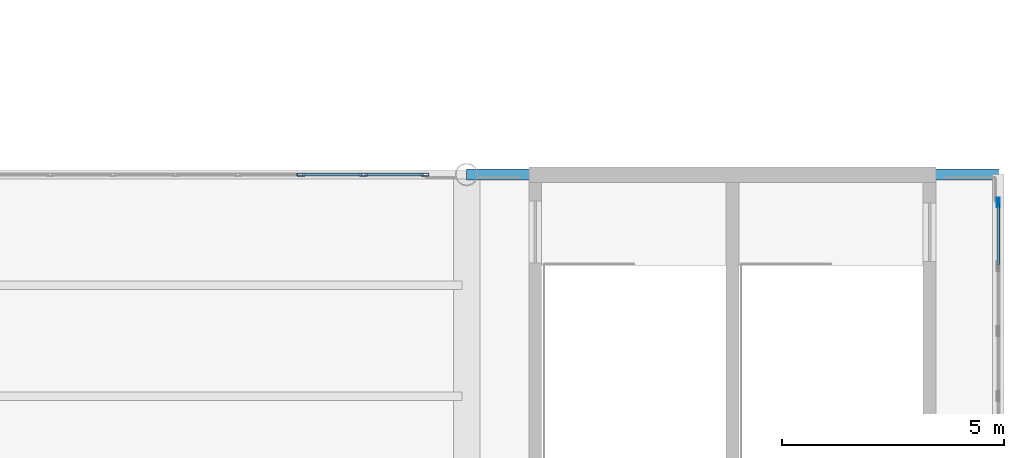
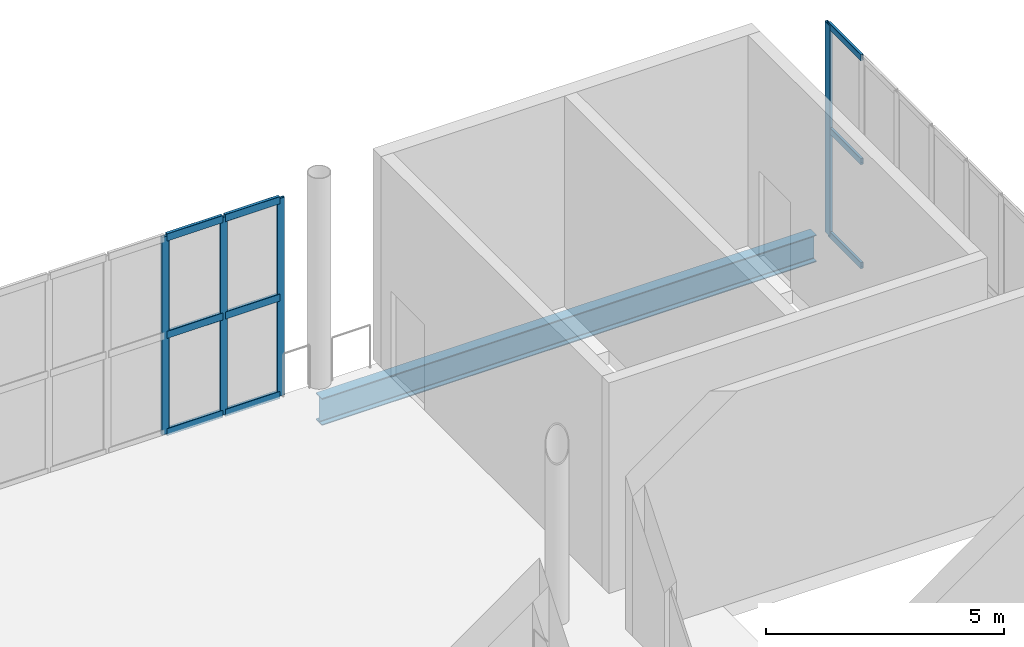
# One storey, part 42 of 74: 13 members, 1 beam, 2 elements without a shape of their own.
"""IFC4 building model written with IfcOpenShell, lengths in metres."""

import ifcopenshell
import ifcopenshell.guid

model = None  # the IFC model being written
_history = None  # IfcOwnerHistory: only IFC2X3 demands one
_inside = {}  # id of a spatial element -> (the spatial element, [elements in it])
_under = {}  # id of a project, library or spatial element -> (it, [spatial elements below it])
_declared = {}  # id of a project -> (the project, [libraries it declares])
_typed = {}  # id of a type object -> (the type object, [elements of that type])
_made_of = {}  # id of a material, layer set ... -> (it, [elements and type objects made of it])


def new_model(schema):
    """Start an empty IFC model of exactly this schema.

    Asked for "IFC4X3", IfcOpenShell would pick the latest addendum, in which some entities
    have other attributes; the version numbers below select the first issue.
    IFC2X3 requires an IfcOwnerHistory on every rooted entity: one is made here for all.
    """
    global model, _history
    if schema == "IFC4X3":
        model = ifcopenshell.file(schema_version=(4, 3, 0, 0))
    else:
        model = ifcopenshell.file(schema=schema)
    _inside.clear()
    _under.clear()
    _declared.clear()
    _typed.clear()
    _made_of.clear()
    _history = None
    if model.schema == "IFC2X3":
        org = make("IfcOrganization", Name="unknown")
        user = make(
            "IfcPersonAndOrganization",
            ThePerson=make("IfcPerson", FamilyName="unknown"),
            TheOrganization=org,
        )
        app = make(
            "IfcApplication",
            ApplicationDeveloper=org,
            Version="unknown",
            ApplicationFullName="unknown",
            ApplicationIdentifier="unknown",
        )
        _history = make(
            "IfcOwnerHistory",
            OwningUser=user,
            OwningApplication=app,
            ChangeAction="ADDED",
            CreationDate=0,
        )
    return model


def make(cls, **values):
    """One entity of the class cls with the attributes given. An attribute that is None is left unset."""
    return model.create_entity(
        cls, **{name: value for name, value in values.items() if value is not None}
    )


def rooted(cls, **values):
    """An entity with a GlobalId (a new one), such as an element, a storey or a relation."""
    return make(cls, GlobalId=ifcopenshell.guid.new(), OwnerHistory=_history, **values)


def si_unit(unit_type, name, prefix=None):
    """IfcSIUnit, for example si_unit("LENGTHUNIT", "METRE", prefix="MILLI")."""
    return make("IfcSIUnit", UnitType=unit_type, Prefix=prefix, Name=name)


def assignment(units):
    """IfcUnitAssignment: the units of a project."""
    return None if units is None else make("IfcUnitAssignment", Units=units)


def point(xyz):
    """IfcCartesianPoint."""
    return None if xyz is None else make("IfcCartesianPoint", Coordinates=xyz)


def direction(xyz):
    """IfcDirection."""
    return None if xyz is None else make("IfcDirection", DirectionRatios=xyz)


def frame(location, z_axis=None, x_axis=None):
    """IfcAxis2Placement3D, a coordinate frame: its origin and axes. An axis left out is left unset."""
    return make(
        "IfcAxis2Placement3D",
        Location=point(location),
        Axis=direction(z_axis),
        RefDirection=direction(x_axis),
    )


def frame_2d(location, x_axis=None):
    """IfcAxis2Placement2D, a coordinate frame in the plane: its origin and x axis."""
    return make(
        "IfcAxis2Placement2D", Location=point(location), RefDirection=direction(x_axis)
    )


def origin():
    """The frame at (0, 0, 0) with its axes left unset."""
    return frame((0.0, 0.0, 0.0))


def origin_2d():
    """The frame at (0, 0) in the plane with its x axis left unset."""
    return frame_2d((0.0, 0.0))


def place(relative_to, where):
    """IfcLocalPlacement: puts the frame where relative to a parent placement (None: the world)."""
    return make(
        "IfcLocalPlacement", PlacementRelTo=relative_to, RelativePlacement=where
    )


def context(
    kind, dimensions, precision=None, world=None, true_north=None, identifier=None
):
    """IfcGeometricRepresentationContext, for example the 3D "Model" context."""
    return make(
        "IfcGeometricRepresentationContext",
        ContextIdentifier=identifier,
        ContextType=kind,
        CoordinateSpaceDimension=dimensions,
        Precision=precision,
        WorldCoordinateSystem=world,
        TrueNorth=true_north,
    )


def subcontext(parent, identifier, kind, view, scale=None):
    """IfcGeometricRepresentationSubContext, for example "Body" below "Model"."""
    return make(
        "IfcGeometricRepresentationSubContext",
        ContextIdentifier=identifier,
        ContextType=kind,
        ParentContext=parent,
        TargetScale=scale,
        TargetView=view,
    )


def project(units=None, contexts=None):
    """IfcProject with its units and contexts."""
    return rooted(
        "IfcProject",
        Name="project",
        RepresentationContexts=contexts,
        UnitsInContext=assignment(units),
    )


def spatial(cls, under=None, at=None, **own):
    """A site, building, storey or space (cls), placed at a placement, below another one or the project."""
    s = rooted(cls, ObjectPlacement=at, **own)
    if under is not None:
        _under.setdefault(under.id(), (under, []))[1].append(s)
    return s


def profile(cls, at=None, kind="AREA", **sizes):
    """A parametric profile (cls). Its sizes go by their IFC names, for example OverallWidth=200.0."""
    return make(cls, ProfileType=kind, Position=at, **sizes)


def hollow_rectangle(**sizes):
    """IfcRectangleHollowProfileDef."""
    return profile("IfcRectangleHollowProfileDef", **sizes)


def i_section(**sizes):
    """IfcIShapeProfileDef."""
    return profile("IfcIShapeProfileDef", **sizes)


def extrude(swept, where, along, depth):
    """IfcExtrudedAreaSolid: the profile swept, set in the frame where, extruded along a direction by depth."""
    return make(
        "IfcExtrudedAreaSolid",
        SweptArea=swept,
        Position=where,
        ExtrudedDirection=direction(along),
        Depth=depth,
    )


def shape(context_of_items, identifier, shape_type, items):
    """IfcShapeRepresentation: the items that make up one representation, for example the "Body"."""
    return make(
        "IfcShapeRepresentation",
        ContextOfItems=context_of_items,
        RepresentationIdentifier=identifier,
        RepresentationType=shape_type,
        Items=items,
    )


def material(Name=None, Category=None):
    """IfcMaterial."""
    return make("IfcMaterial", Name=Name, Category=Category)


def layer(
    of_material, thickness, ventilated=None, Name=None, Category=None, Priority=None
):
    """IfcMaterialLayer: one layer of a wall or slab, of a material (None: an air gap)."""
    return make(
        "IfcMaterialLayer",
        Material=of_material,
        LayerThickness=thickness,
        IsVentilated=ventilated,
        Name=Name,
        Category=Category,
        Priority=Priority,
    )


def layer_set(layers, Name=None):
    """IfcMaterialLayerSet."""
    return make("IfcMaterialLayerSet", MaterialLayers=layers, LayerSetName=Name)


def material_profile(
    of_material, cross_section, Name=None, Category=None, Priority=None
):
    """IfcMaterialProfile: a cross section and its material."""
    return make(
        "IfcMaterialProfile",
        Name=Name,
        Material=of_material,
        Profile=cross_section,
        Priority=Priority,
        Category=Category,
    )


def profile_set(profiles, Name=None, composite=None):
    """IfcMaterialProfileSet."""
    return make(
        "IfcMaterialProfileSet",
        Name=Name,
        MaterialProfiles=profiles,
        CompositeProfile=composite,
    )


def made_of(thing, what):
    """Note that an element or type object is made of a material, layer set ...; save() writes the relation."""
    if what is not None:
        _made_of.setdefault(what.id(), (what, []))[1].append(thing)
    return thing


def type_object(cls, material=None, **own):
    """A type object (cls), such as IfcWallType, which elements share."""
    return made_of(rooted(cls, **own), material)


def element(
    cls,
    number,
    at=None,
    inside=None,
    cuts=None,
    type_object=None,
    material=None,
    context=None,
    identifier="Body",
    shape_type=None,
    held_by="IfcProductDefinitionShape",
    body=None,
    shapes=None,
    **own,
):
    """One element of the class cls, such as IfcWall. Its Tag is "e" and its number.

    at: its placement. inside: the storey or other place that contains it. cuts: it is an
    opening in that element (IfcRelVoidsElement). A single representation is given by context,
    identifier, shape_type and body (its items); several are given by shapes. held_by: the class
    of the entity that holds the representations. save() writes the other relations.
    """
    e = rooted(cls, Tag="e%d" % number, ObjectPlacement=at, **own)
    if body is not None:
        shapes = [shape(context, identifier, shape_type, body)]
    if shapes is not None:
        e.Representation = make(held_by, Representations=shapes)
    if inside is not None:
        _inside.setdefault(inside.id(), (inside, []))[1].append(e)
    if cuts is not None:
        rooted(
            "IfcRelVoidsElement", RelatingBuildingElement=cuts, RelatedOpeningElement=e
        )
    if type_object is not None:
        _typed.setdefault(type_object.id(), (type_object, []))[1].append(e)
    return made_of(e, material)


def aggregate(whole, parts):
    """IfcRelAggregates: a whole, such as a stair, and the parts it consists of."""
    return rooted("IfcRelAggregates", RelatingObject=whole, RelatedObjects=parts)


def save(model, path):
    """Write the relations noted so far, then the file.

    IfcRelAggregates (storeys below a building ...), IfcRelContainedInSpatialStructure (elements
    in a storey), IfcRelDefinesByType, IfcRelAssociatesMaterial and IfcRelDeclares: one each for
    every whole, place, type object, material and project.
    """
    for whole, parts in _under.values():
        aggregate(whole, parts)
    for where, things in _inside.values():
        rooted(
            "IfcRelContainedInSpatialStructure",
            RelatedElements=things,
            RelatingStructure=where,
        )
    for kind, things in _typed.values():
        rooted("IfcRelDefinesByType", RelatedObjects=things, RelatingType=kind)
    for what, things in _made_of.values():
        rooted("IfcRelAssociatesMaterial", RelatedObjects=things, RelatingMaterial=what)
    for by, libraries in _declared.values():
        rooted("IfcRelDeclares", RelatingContext=by, RelatedDefinitions=libraries)
    model.write(path)


model = new_model("IFC4")

# Units and contexts
model_context = context("Model", 3, precision=1e-05, world=origin(), true_north=direction((0.0, 1.0)))
body_context = subcontext(model_context, "Body", "Model", "MODEL_VIEW")
ifc_project = project(units=[si_unit("LENGTHUNIT", "METRE"), si_unit("AREAUNIT", "SQUARE_METRE"), si_unit("VOLUMEUNIT", "CUBIC_METRE"), si_unit("PLANEANGLEUNIT", "RADIAN"), si_unit("MASSUNIT", "GRAM", prefix="KILO")], contexts=[model_context])

# Site, building, storey
site_placement = place(None, origin())
site = spatial("IfcSite", under=ifc_project, at=site_placement, CompositionType="ELEMENT")
building_placement = place(site_placement, origin())
building = spatial("IfcBuilding", under=site, at=building_placement, Name="Brinegate Civic Arena", CompositionType="ELEMENT")
storey_placement = place(building_placement, frame((0.0, 0.0, 19.199951171875)))
storey = spatial("IfcBuildingStorey", under=building, at=storey_placement, Name="L04", CompositionType="ELEMENT", Elevation=19.199951171875)

# Curtain wall, members
ifc_material_1 = material(Name="Marine grade aluminium", Category="aluminium")
ifc_layer = layer(ifc_material_1, 0.199951171875, Name="Marine grade aluminium")
ifc_layer_set = layer_set([ifc_layer], Name="Marine grade aluminium")
curtain_wall_type = type_object("IfcCurtainWallType", Name="CW-BOWL-GLAZED-01", PredefinedType="USERDEFINED", material=ifc_layer_set)
curtain_wall_1_placement = place(storey_placement, origin())
curtain_wall_1 = element("IfcCurtainWall", 1, at=curtain_wall_1_placement, inside=storey, type_object=curtain_wall_type, Name="Curtain Wall CWA-152", ObjectType="GLAZED CURTAIN WALL", PredefinedType="USERDEFINED")
ifc_material_profile_1 = material_profile(ifc_material_1, hollow_rectangle(XDim=0.06494140625, YDim=0.179931640625, WallThickness=0.0048828125, InnerFilletRadius=0.00390625, OuterFilletRadius=0.008056640625, at=origin_2d()), Name="MUL65X180")
ifc_profile_set_1 = profile_set([ifc_material_profile_1], Name="Marine grade aluminium")
member_type_1 = type_object("IfcMemberType", Name="CW-MULLION-65X180", PredefinedType="MULLION", material=ifc_profile_set_1)
member_1_placement = place(storey_placement, frame((152.260986328125, 114.0, 0.0), z_axis=(0.0, 0.0, 1.0), x_axis=(0.0, 1.0, 0.0)))
member_1 = element("IfcMember", 2, at=member_1_placement, type_object=member_type_1, Name="CWA-152 mullion 6", PredefinedType="MULLION", context=body_context, shape_type="SweptSolid", body=[
    extrude(hollow_rectangle(XDim=0.06494140625, YDim=0.179931640625, WallThickness=0.0048828125, InnerFilletRadius=0.00390625, OuterFilletRadius=0.008056640625, at=origin_2d()), origin(), (0.0, 0.0, 1.0), 5.070068359375),
])
member_2_placement = place(storey_placement, frame((153.676025390625, 114.0, 0.0), z_axis=(0.0, 0.0, 1.0), x_axis=(0.0, 1.0, 0.0)))
member_2 = element("IfcMember", 3, at=member_2_placement, type_object=member_type_1, Name="CWA-152 mullion 7", PredefinedType="MULLION", context=body_context, shape_type="SweptSolid", body=[
    extrude(hollow_rectangle(XDim=0.06494140625, YDim=0.179931640625, WallThickness=0.0048828125, InnerFilletRadius=0.00390625, OuterFilletRadius=0.008056640625, at=origin_2d()), origin(), (0.0, 0.0, 1.0), 5.070068359375),
])
member_3_placement = place(storey_placement, frame((155.05859375, 114.0, 0.0), z_axis=(0.0, 0.0, 1.0), x_axis=(0.0, 1.0, 0.0)))
member_3 = element("IfcMember", 4, at=member_3_placement, type_object=member_type_1, Name="CWA-152 mullion 8", PredefinedType="MULLION", context=body_context, shape_type="SweptSolid", body=[
    extrude(hollow_rectangle(XDim=0.06494140625, YDim=0.179931640625, WallThickness=0.0048828125, InnerFilletRadius=0.00390625, OuterFilletRadius=0.008056640625, at=origin_2d()), origin(), (0.0, 0.0, 1.0), 5.070068359375),
])

curtain_wall_2_placement = place(storey_placement, origin())
curtain_wall_2 = element("IfcCurtainWall", 5, at=curtain_wall_2_placement, inside=storey, type_object=curtain_wall_type, Name="Curtain Wall CWA-143", ObjectType="GLAZED CURTAIN WALL", PredefinedType="USERDEFINED")
ifc_material_profile_2 = material_profile(ifc_material_1, hollow_rectangle(XDim=0.06494140625, YDim=0.219970703125, WallThickness=0.006103515625, InnerFilletRadius=0.00390625, OuterFilletRadius=0.008056640625, at=origin_2d()), Name="MUL65X220")
ifc_profile_set_2 = profile_set([ifc_material_profile_2], Name="Marine grade aluminium")
member_type_2 = type_object("IfcMemberType", Name="CW-MULLION-65X220", PredefinedType="MULLION", material=ifc_profile_set_2)
member_4_placement = place(storey_placement, frame((168.0, 113.367431640625, 0.0), z_axis=(0.0, 0.0, 1.0), x_axis=(-1.0, 0.0, 0.0)))
member_4 = element("IfcMember", 6, at=member_4_placement, type_object=member_type_2, Name="CWA-143 mullion 7", PredefinedType="MULLION", context=body_context, shape_type="SweptSolid", body=[
    extrude(hollow_rectangle(XDim=0.06494140625, YDim=0.219970703125, WallThickness=0.006103515625, InnerFilletRadius=0.00390625, OuterFilletRadius=0.008056640625, at=origin_2d()), origin(), (0.0, 0.0, 1.0), 5.400146484375),
])
ifc_material_profile_3 = material_profile(ifc_material_1, hollow_rectangle(XDim=0.06494140625, YDim=0.1650390625, WallThickness=0.0048828125, InnerFilletRadius=0.00390625, OuterFilletRadius=0.008056640625, at=origin_2d()), Name="TRN65X165")
ifc_profile_set_3 = profile_set([ifc_material_profile_3], Name="Marine grade aluminium")
member_type_3 = type_object("IfcMemberType", Name="CW-TRANSOM-65X165", PredefinedType="USERDEFINED", material=ifc_profile_set_3)
member_5_placement = place(storey_placement, frame((168.0, 111.9658203125, 0.032470703125), z_axis=(0.0, 1.0, 0.0), x_axis=(-1.0, 0.0, 0.0)))
member_5 = element("IfcMember", 7, at=member_5_placement, type_object=member_type_3, Name="CWA-143 transom 6.1", ObjectType="TRANSOM", PredefinedType="USERDEFINED", context=body_context, shape_type="SweptSolid", body=[
    extrude(hollow_rectangle(XDim=0.06494140625, YDim=0.1650390625, WallThickness=0.0048828125, InnerFilletRadius=0.00390625, OuterFilletRadius=0.008056640625, at=origin_2d()), origin(), (0.0, 0.0, 1.0), 1.369140625),
])
member_6_placement = place(storey_placement, frame((168.0, 111.9658203125, 2.699951171875), z_axis=(0.0, 1.0, 0.0), x_axis=(-1.0, 0.0, 0.0)))
member_6 = element("IfcMember", 8, at=member_6_placement, type_object=member_type_3, Name="CWA-143 transom 6.2", ObjectType="TRANSOM", PredefinedType="USERDEFINED", context=body_context, shape_type="SweptSolid", body=[
    extrude(hollow_rectangle(XDim=0.06494140625, YDim=0.1650390625, WallThickness=0.0048828125, InnerFilletRadius=0.00390625, OuterFilletRadius=0.008056640625, at=origin_2d()), origin(), (0.0, 0.0, 1.0), 1.369140625),
])
member_7_placement = place(storey_placement, frame((168.0, 111.9658203125, 5.367431640625), z_axis=(0.0, 1.0, 0.0), x_axis=(-1.0, 0.0, 0.0)))
member_7 = element("IfcMember", 9, at=member_7_placement, type_object=member_type_3, Name="CWA-143 transom 6.3", ObjectType="TRANSOM", PredefinedType="USERDEFINED", context=body_context, shape_type="SweptSolid", body=[
    extrude(hollow_rectangle(XDim=0.06494140625, YDim=0.1650390625, WallThickness=0.0048828125, InnerFilletRadius=0.00390625, OuterFilletRadius=0.008056640625, at=origin_2d()), origin(), (0.0, 0.0, 1.0), 1.369140625),
])
aggregate(curtain_wall_2, [member_4, member_5, member_6, member_7])

# Member
ifc_material_profile_4 = material_profile(ifc_material_1, hollow_rectangle(XDim=0.074951171875, YDim=0.18994140625, WallThickness=0.006103515625, InnerFilletRadius=0.00390625, OuterFilletRadius=0.008056640625, at=origin_2d()), Name="TRN75X190")
ifc_profile_set_4 = profile_set([ifc_material_profile_4], Name="Marine grade aluminium")
member_type_4 = type_object("IfcMemberType", Name="CW-TRANSOM-75X190", PredefinedType="USERDEFINED", material=ifc_profile_set_4)
member_8_placement = place(storey_placement, frame((152.29345703125, 114.0, 0.03759765625), z_axis=(1.0, 0.0, 0.0), x_axis=(0.0, 1.0, 0.0)))
member_8 = element("IfcMember", 10, at=member_8_placement, type_object=member_type_4, Name="CWA-152 transom 6.1", ObjectType="TRANSOM", PredefinedType="USERDEFINED", context=body_context, shape_type="SweptSolid", body=[
    extrude(hollow_rectangle(XDim=0.074951171875, YDim=0.18994140625, WallThickness=0.006103515625, InnerFilletRadius=0.00390625, OuterFilletRadius=0.008056640625, at=origin_2d()), origin(), (0.0, 0.0, 1.0), 1.35009765625),
])

member_9_placement = place(storey_placement, frame((152.29345703125, 114.0, 2.53515625), z_axis=(1.0, 0.0, 0.0), x_axis=(0.0, 1.0, 0.0)))
member_9 = element("IfcMember", 11, at=member_9_placement, type_object=member_type_4, Name="CWA-152 transom 6.2", ObjectType="TRANSOM", PredefinedType="USERDEFINED", context=body_context, shape_type="SweptSolid", body=[
    extrude(hollow_rectangle(XDim=0.074951171875, YDim=0.18994140625, WallThickness=0.006103515625, InnerFilletRadius=0.00390625, OuterFilletRadius=0.008056640625, at=origin_2d()), origin(), (0.0, 0.0, 1.0), 1.35009765625),
])

member_10_placement = place(storey_placement, frame((152.29345703125, 114.0, 5.032470703125), z_axis=(1.0, 0.0, 0.0), x_axis=(0.0, 1.0, 0.0)))
member_10 = element("IfcMember", 12, at=member_10_placement, type_object=member_type_4, Name="CWA-152 transom 6.3", ObjectType="TRANSOM", PredefinedType="USERDEFINED", context=body_context, shape_type="SweptSolid", body=[
    extrude(hollow_rectangle(XDim=0.074951171875, YDim=0.18994140625, WallThickness=0.006103515625, InnerFilletRadius=0.00390625, OuterFilletRadius=0.008056640625, at=origin_2d()), origin(), (0.0, 0.0, 1.0), 1.35009765625),
])

member_11_placement = place(storey_placement, frame((153.70849609375, 114.0, 0.03759765625), z_axis=(1.0, 0.0, 0.0), x_axis=(0.0, 1.0, 0.0)))
member_11 = element("IfcMember", 13, at=member_11_placement, type_object=member_type_4, Name="CWA-152 transom 7.1", ObjectType="TRANSOM", PredefinedType="USERDEFINED", context=body_context, shape_type="SweptSolid", body=[
    extrude(hollow_rectangle(XDim=0.074951171875, YDim=0.18994140625, WallThickness=0.006103515625, InnerFilletRadius=0.00390625, OuterFilletRadius=0.008056640625, at=origin_2d()), origin(), (0.0, 0.0, 1.0), 1.3173828125),
])

member_12_placement = place(storey_placement, frame((153.70849609375, 114.0, 2.53515625), z_axis=(1.0, 0.0, 0.0), x_axis=(0.0, 1.0, 0.0)))
member_12 = element("IfcMember", 14, at=member_12_placement, type_object=member_type_4, Name="CWA-152 transom 7.2", ObjectType="TRANSOM", PredefinedType="USERDEFINED", context=body_context, shape_type="SweptSolid", body=[
    extrude(hollow_rectangle(XDim=0.074951171875, YDim=0.18994140625, WallThickness=0.006103515625, InnerFilletRadius=0.00390625, OuterFilletRadius=0.008056640625, at=origin_2d()), origin(), (0.0, 0.0, 1.0), 1.3173828125),
])

member_13_placement = place(storey_placement, frame((153.70849609375, 114.0, 5.032470703125), z_axis=(1.0, 0.0, 0.0), x_axis=(0.0, 1.0, 0.0)))
member_13 = element("IfcMember", 15, at=member_13_placement, type_object=member_type_4, Name="CWA-152 transom 7.3", ObjectType="TRANSOM", PredefinedType="USERDEFINED", context=body_context, shape_type="SweptSolid", body=[
    extrude(hollow_rectangle(XDim=0.074951171875, YDim=0.18994140625, WallThickness=0.006103515625, InnerFilletRadius=0.00390625, OuterFilletRadius=0.008056640625, at=origin_2d()), origin(), (0.0, 0.0, 1.0), 1.3173828125),
])

aggregate(curtain_wall_1, [member_1, member_2, member_3, member_8, member_9, member_10, member_11, member_12, member_13])

# Beam
ifc_material_2 = material(Name="Steel S355", Category="steel")
ifc_material_profile_5 = material_profile(ifc_material_2, i_section(OverallWidth=0.256103515625, OverallDepth=0.693115234375, WebThickness=0.014892578125, FlangeThickness=0.02392578125, FilletRadius=0.01806640625, at=origin_2d()), Name="W690X170")
ifc_profile_set_5 = profile_set([ifc_material_profile_5], Name="Steel S355")
beam_type = type_object("IfcBeamType", Name="SPANDREL-W690X170", PredefinedType="SPANDREL", material=ifc_profile_set_5)
beam_placement = place(storey_placement, frame((156.0, 114.0, -0.68603515625), z_axis=(1.0, 0.0, 0.0), x_axis=(0.0, 1.0, 0.0)))
element("IfcBeam", 16, at=beam_placement, inside=storey, type_object=beam_type, Name="Floor Girder BM-L04-GX-13-11", PredefinedType="SPANDREL", context=body_context, shape_type="SweptSolid", body=[
    extrude(i_section(OverallWidth=0.256103515625, OverallDepth=0.693115234375, WebThickness=0.014892578125, FlangeThickness=0.02392578125, FilletRadius=0.01806640625, at=origin_2d()), origin(), (0.0, 0.0, 1.0), 12.0),
])

save(model, "model.ifc")
